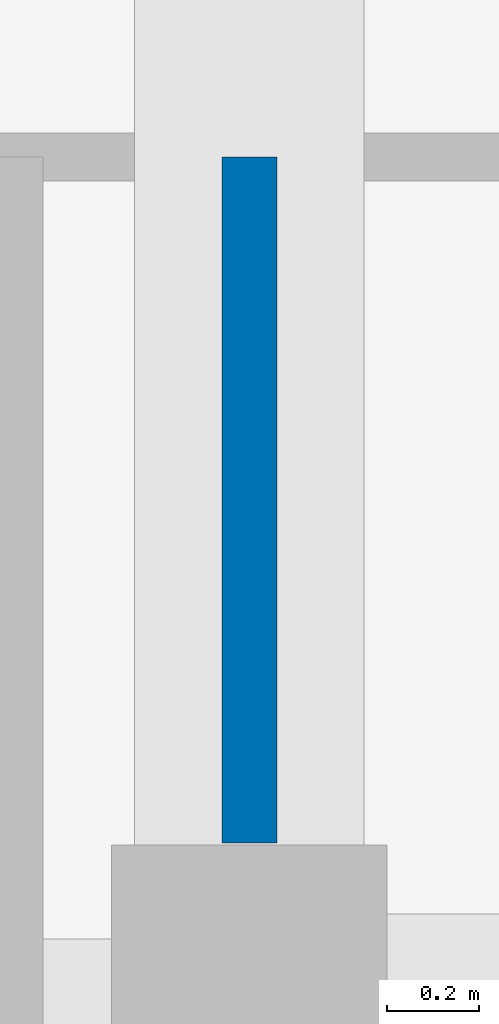
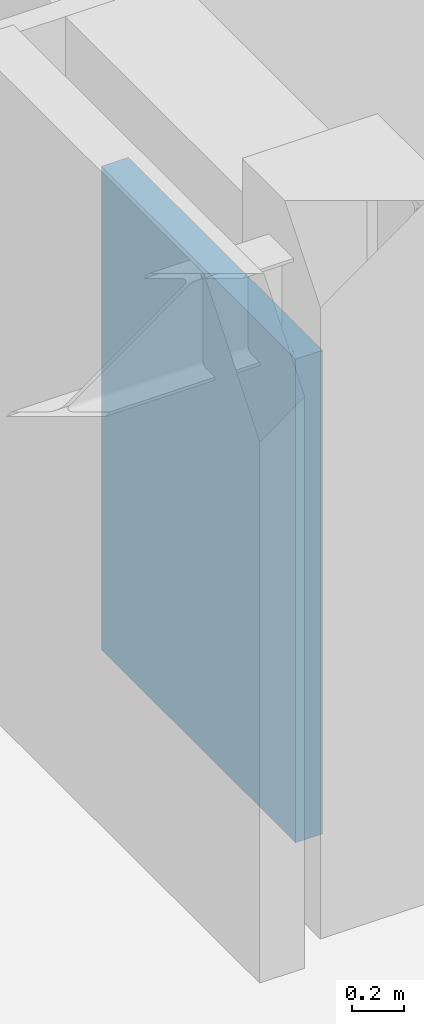
# One storey, part 11 of 21: 1 wall.
"""IFC4 building model written with IfcOpenShell, lengths in metres."""

from ifc_helpers import new_model, si_unit, direction, frame, frame_2d, origin, place, context, subcontext, project, spatial, rectangle, extrude, material, layer, layer_set, type_object, element, save


model = new_model("IFC4")

# Units and contexts
model_context = context("Model", 3, precision=1e-05, world=origin(), true_north=direction((0.0, 1.0)))
body_context = subcontext(model_context, "Body", "Model", "MODEL_VIEW")
ifc_project = project(units=[si_unit("LENGTHUNIT", "METRE"), si_unit("AREAUNIT", "SQUARE_METRE"), si_unit("VOLUMEUNIT", "CUBIC_METRE"), si_unit("PLANEANGLEUNIT", "RADIAN"), si_unit("MASSUNIT", "GRAM", prefix="KILO"), si_unit("THERMODYNAMICTEMPERATUREUNIT", "KELVIN"), si_unit("POWERUNIT", "WATT")], contexts=[model_context])

# Site, building, storey
site_placement = place(None, origin())
site = spatial("IfcSite", under=ifc_project, at=site_placement, CompositionType="ELEMENT")
building_placement = place(site_placement, origin())
building = spatial("IfcBuilding", under=site, at=building_placement, Name="Phaisarnlok Congress Hotel", CompositionType="ELEMENT")
storey_placement = place(building_placement, frame((0.0, 0.0, 34.800048828125)))
storey = spatial("IfcBuildingStorey", under=building, at=storey_placement, Name="L08", CompositionType="ELEMENT", Elevation=34.800048828125)

# Wall
ifc_material = material(Name="Lightweight Metal-Stud Gypsum Partition", Category="gypsum")
ifc_layer = layer(ifc_material, 0.1201171875, Name="Lightweight Metal-Stud Gypsum Partition")
ifc_layer_set = layer_set([ifc_layer], Name="Lightweight Metal-Stud Gypsum Partition")
wall_type = type_object("IfcWallType", Name="WL-INT-120", PredefinedType="PARTITIONING", material=ifc_layer_set)
wall_placement = place(storey_placement, frame((120.0, 114.304931640625, 0.0), z_axis=(0.0, 0.0, 1.0), x_axis=(0.0, 1.0, 0.0)))
element("IfcWall", 1, at=wall_placement, inside=storey, type_object=wall_type, Name="Interior partition wall IW-07 (L08)", PredefinedType="PARTITIONING", context=body_context, shape_type="SweptSolid", body=[
    extrude(rectangle(XDim=1.4951171875, YDim=0.1201171875, at=frame_2d((0.74755859375, 0.0))), origin(), (0.0, 0.0, 1.0), 2.27001953125),
])

save(model, "model.ifc")
